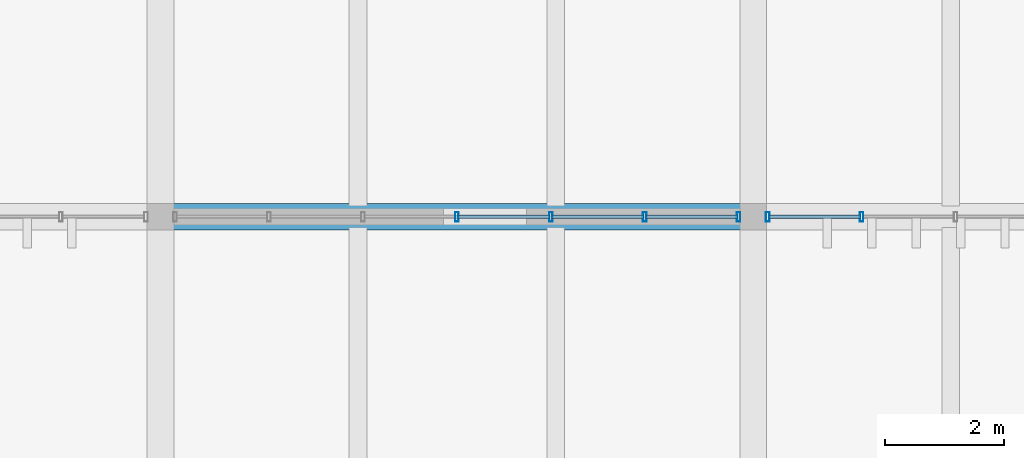
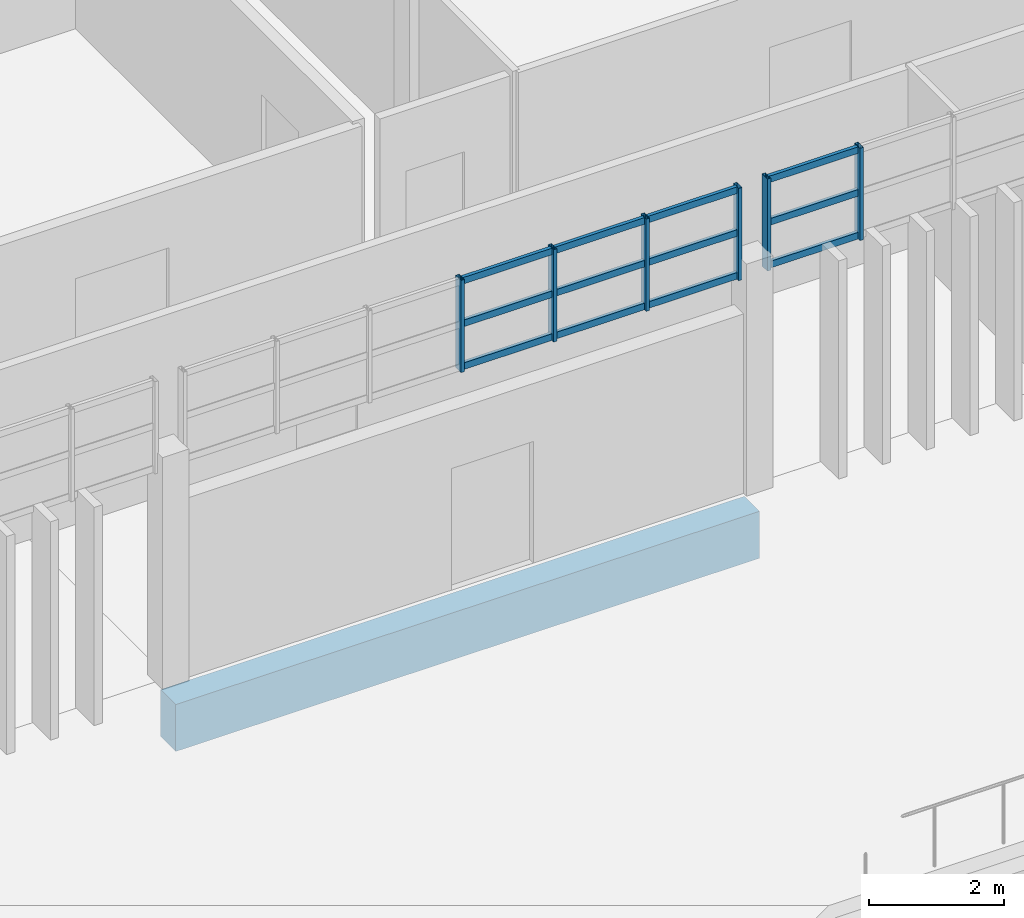
# One storey, part 17 of 36: 18 members, 1 beam, 2 elements without a shape of their own.
"""IFC4 building model written with IfcOpenShell, lengths in metres."""

import ifcopenshell
import ifcopenshell.guid

model = None  # the IFC model being written
_history = None  # IfcOwnerHistory: only IFC2X3 demands one
_inside = {}  # id of a spatial element -> (the spatial element, [elements in it])
_under = {}  # id of a project, library or spatial element -> (it, [spatial elements below it])
_declared = {}  # id of a project -> (the project, [libraries it declares])
_typed = {}  # id of a type object -> (the type object, [elements of that type])
_made_of = {}  # id of a material, layer set ... -> (it, [elements and type objects made of it])


def new_model(schema):
    """Start an empty IFC model of exactly this schema.

    Asked for "IFC4X3", IfcOpenShell would pick the latest addendum, in which some entities
    have other attributes; the version numbers below select the first issue.
    IFC2X3 requires an IfcOwnerHistory on every rooted entity: one is made here for all.
    """
    global model, _history
    if schema == "IFC4X3":
        model = ifcopenshell.file(schema_version=(4, 3, 0, 0))
    else:
        model = ifcopenshell.file(schema=schema)
    _inside.clear()
    _under.clear()
    _declared.clear()
    _typed.clear()
    _made_of.clear()
    _history = None
    if model.schema == "IFC2X3":
        org = make("IfcOrganization", Name="unknown")
        user = make(
            "IfcPersonAndOrganization",
            ThePerson=make("IfcPerson", FamilyName="unknown"),
            TheOrganization=org,
        )
        app = make(
            "IfcApplication",
            ApplicationDeveloper=org,
            Version="unknown",
            ApplicationFullName="unknown",
            ApplicationIdentifier="unknown",
        )
        _history = make(
            "IfcOwnerHistory",
            OwningUser=user,
            OwningApplication=app,
            ChangeAction="ADDED",
            CreationDate=0,
        )
    return model


def make(cls, **values):
    """One entity of the class cls with the attributes given. An attribute that is None is left unset."""
    return model.create_entity(
        cls, **{name: value for name, value in values.items() if value is not None}
    )


def rooted(cls, **values):
    """An entity with a GlobalId (a new one), such as an element, a storey or a relation."""
    return make(cls, GlobalId=ifcopenshell.guid.new(), OwnerHistory=_history, **values)


def si_unit(unit_type, name, prefix=None):
    """IfcSIUnit, for example si_unit("LENGTHUNIT", "METRE", prefix="MILLI")."""
    return make("IfcSIUnit", UnitType=unit_type, Prefix=prefix, Name=name)


def assignment(units):
    """IfcUnitAssignment: the units of a project."""
    return None if units is None else make("IfcUnitAssignment", Units=units)


def point(xyz):
    """IfcCartesianPoint."""
    return None if xyz is None else make("IfcCartesianPoint", Coordinates=xyz)


def direction(xyz):
    """IfcDirection."""
    return None if xyz is None else make("IfcDirection", DirectionRatios=xyz)


def frame(location, z_axis=None, x_axis=None):
    """IfcAxis2Placement3D, a coordinate frame: its origin and axes. An axis left out is left unset."""
    return make(
        "IfcAxis2Placement3D",
        Location=point(location),
        Axis=direction(z_axis),
        RefDirection=direction(x_axis),
    )


def frame_2d(location, x_axis=None):
    """IfcAxis2Placement2D, a coordinate frame in the plane: its origin and x axis."""
    return make(
        "IfcAxis2Placement2D", Location=point(location), RefDirection=direction(x_axis)
    )


def origin():
    """The frame at (0, 0, 0) with its axes left unset."""
    return frame((0.0, 0.0, 0.0))


def origin_2d():
    """The frame at (0, 0) in the plane with its x axis left unset."""
    return frame_2d((0.0, 0.0))


def place(relative_to, where):
    """IfcLocalPlacement: puts the frame where relative to a parent placement (None: the world)."""
    return make(
        "IfcLocalPlacement", PlacementRelTo=relative_to, RelativePlacement=where
    )


def context(
    kind, dimensions, precision=None, world=None, true_north=None, identifier=None
):
    """IfcGeometricRepresentationContext, for example the 3D "Model" context."""
    return make(
        "IfcGeometricRepresentationContext",
        ContextIdentifier=identifier,
        ContextType=kind,
        CoordinateSpaceDimension=dimensions,
        Precision=precision,
        WorldCoordinateSystem=world,
        TrueNorth=true_north,
    )


def subcontext(parent, identifier, kind, view, scale=None):
    """IfcGeometricRepresentationSubContext, for example "Body" below "Model"."""
    return make(
        "IfcGeometricRepresentationSubContext",
        ContextIdentifier=identifier,
        ContextType=kind,
        ParentContext=parent,
        TargetScale=scale,
        TargetView=view,
    )


def project(units=None, contexts=None):
    """IfcProject with its units and contexts."""
    return rooted(
        "IfcProject",
        Name="project",
        RepresentationContexts=contexts,
        UnitsInContext=assignment(units),
    )


def spatial(cls, under=None, at=None, **own):
    """A site, building, storey or space (cls), placed at a placement, below another one or the project."""
    s = rooted(cls, ObjectPlacement=at, **own)
    if under is not None:
        _under.setdefault(under.id(), (under, []))[1].append(s)
    return s


def profile(cls, at=None, kind="AREA", **sizes):
    """A parametric profile (cls). Its sizes go by their IFC names, for example OverallWidth=200.0."""
    return make(cls, ProfileType=kind, Position=at, **sizes)


def rectangle(**sizes):
    """IfcRectangleProfileDef."""
    return profile("IfcRectangleProfileDef", **sizes)


def hollow_rectangle(**sizes):
    """IfcRectangleHollowProfileDef."""
    return profile("IfcRectangleHollowProfileDef", **sizes)


def extrude(swept, where, along, depth):
    """IfcExtrudedAreaSolid: the profile swept, set in the frame where, extruded along a direction by depth."""
    return make(
        "IfcExtrudedAreaSolid",
        SweptArea=swept,
        Position=where,
        ExtrudedDirection=direction(along),
        Depth=depth,
    )


def shape(context_of_items, identifier, shape_type, items):
    """IfcShapeRepresentation: the items that make up one representation, for example the "Body"."""
    return make(
        "IfcShapeRepresentation",
        ContextOfItems=context_of_items,
        RepresentationIdentifier=identifier,
        RepresentationType=shape_type,
        Items=items,
    )


def material(Name=None, Category=None):
    """IfcMaterial."""
    return make("IfcMaterial", Name=Name, Category=Category)


def layer(
    of_material, thickness, ventilated=None, Name=None, Category=None, Priority=None
):
    """IfcMaterialLayer: one layer of a wall or slab, of a material (None: an air gap)."""
    return make(
        "IfcMaterialLayer",
        Material=of_material,
        LayerThickness=thickness,
        IsVentilated=ventilated,
        Name=Name,
        Category=Category,
        Priority=Priority,
    )


def layer_set(layers, Name=None):
    """IfcMaterialLayerSet."""
    return make("IfcMaterialLayerSet", MaterialLayers=layers, LayerSetName=Name)


def material_profile(
    of_material, cross_section, Name=None, Category=None, Priority=None
):
    """IfcMaterialProfile: a cross section and its material."""
    return make(
        "IfcMaterialProfile",
        Name=Name,
        Material=of_material,
        Profile=cross_section,
        Priority=Priority,
        Category=Category,
    )


def profile_set(profiles, Name=None, composite=None):
    """IfcMaterialProfileSet."""
    return make(
        "IfcMaterialProfileSet",
        Name=Name,
        MaterialProfiles=profiles,
        CompositeProfile=composite,
    )


def made_of(thing, what):
    """Note that an element or type object is made of a material, layer set ...; save() writes the relation."""
    if what is not None:
        _made_of.setdefault(what.id(), (what, []))[1].append(thing)
    return thing


def type_object(cls, material=None, **own):
    """A type object (cls), such as IfcWallType, which elements share."""
    return made_of(rooted(cls, **own), material)


def element(
    cls,
    number,
    at=None,
    inside=None,
    cuts=None,
    type_object=None,
    material=None,
    context=None,
    identifier="Body",
    shape_type=None,
    held_by="IfcProductDefinitionShape",
    body=None,
    shapes=None,
    **own,
):
    """One element of the class cls, such as IfcWall. Its Tag is "e" and its number.

    at: its placement. inside: the storey or other place that contains it. cuts: it is an
    opening in that element (IfcRelVoidsElement). A single representation is given by context,
    identifier, shape_type and body (its items); several are given by shapes. held_by: the class
    of the entity that holds the representations. save() writes the other relations.
    """
    e = rooted(cls, Tag="e%d" % number, ObjectPlacement=at, **own)
    if body is not None:
        shapes = [shape(context, identifier, shape_type, body)]
    if shapes is not None:
        e.Representation = make(held_by, Representations=shapes)
    if inside is not None:
        _inside.setdefault(inside.id(), (inside, []))[1].append(e)
    if cuts is not None:
        rooted(
            "IfcRelVoidsElement", RelatingBuildingElement=cuts, RelatedOpeningElement=e
        )
    if type_object is not None:
        _typed.setdefault(type_object.id(), (type_object, []))[1].append(e)
    return made_of(e, material)


def aggregate(whole, parts):
    """IfcRelAggregates: a whole, such as a stair, and the parts it consists of."""
    return rooted("IfcRelAggregates", RelatingObject=whole, RelatedObjects=parts)


def save(model, path):
    """Write the relations noted so far, then the file.

    IfcRelAggregates (storeys below a building ...), IfcRelContainedInSpatialStructure (elements
    in a storey), IfcRelDefinesByType, IfcRelAssociatesMaterial and IfcRelDeclares: one each for
    every whole, place, type object, material and project.
    """
    for whole, parts in _under.values():
        aggregate(whole, parts)
    for where, things in _inside.values():
        rooted(
            "IfcRelContainedInSpatialStructure",
            RelatedElements=things,
            RelatingStructure=where,
        )
    for kind, things in _typed.values():
        rooted("IfcRelDefinesByType", RelatedObjects=things, RelatingType=kind)
    for what, things in _made_of.values():
        rooted("IfcRelAssociatesMaterial", RelatedObjects=things, RelatingMaterial=what)
    for by, libraries in _declared.values():
        rooted("IfcRelDeclares", RelatingContext=by, RelatedDefinitions=libraries)
    model.write(path)


model = new_model("IFC4")

# Units and contexts
model_context = context("Model", 3, precision=1e-05, world=origin(), true_north=direction((0.0, 1.0)))
body_context = subcontext(model_context, "Body", "Model", "MODEL_VIEW")
ifc_project = project(units=[si_unit("LENGTHUNIT", "METRE"), si_unit("AREAUNIT", "SQUARE_METRE"), si_unit("VOLUMEUNIT", "CUBIC_METRE"), si_unit("PLANEANGLEUNIT", "RADIAN"), si_unit("MASSUNIT", "GRAM", prefix="KILO")], contexts=[model_context])

# Site, building, storey
site_placement = place(None, origin())
site = spatial("IfcSite", under=ifc_project, at=site_placement, CompositionType="ELEMENT")
building_placement = place(site_placement, origin())
building = spatial("IfcBuilding", under=site, at=building_placement, Name="Mersad Railyard Sports Hall", CompositionType="ELEMENT")
storey_placement = place(building_placement, frame((0.0, 0.0, 21.60009765625)))
storey = spatial("IfcBuildingStorey", under=building, at=storey_placement, Name="L05", CompositionType="ELEMENT", Elevation=21.60009765625)

# Curtain wall, members
ifc_material_1 = material(Name="Aluminium 6063-T6", Category="aluminium")
ifc_layer = layer(ifc_material_1, 0.159912109375)
ifc_layer_set = layer_set([ifc_layer], Name="Aluminium 6063-T6")
curtain_wall_type = type_object("IfcCurtainWallType", Name="ARC-CW-CW50", PredefinedType="USERDEFINED", material=ifc_layer_set)
curtain_wall_1_placement = place(storey_placement, origin())
curtain_wall_1 = element("IfcCurtainWall", 1, at=curtain_wall_1_placement, inside=storey, type_object=curtain_wall_type, Name="Curtain wall CW50-0132", ObjectType="CURTAIN WALL", PredefinedType="USERDEFINED")
ifc_material_profile_1 = material_profile(ifc_material_1, hollow_rectangle(XDim=0.06005859375, YDim=0.159912109375, WallThickness=0.00390625, at=origin_2d()), Name="AL MULLION 60x160x4")
ifc_profile_set_1 = profile_set([ifc_material_profile_1], Name="Aluminium 6063-T6")
member_type_1 = type_object("IfcMemberType", Name="ARC-CW-MUL01", PredefinedType="MULLION", material=ifc_profile_set_1)
member_1_placement = place(storey_placement, frame((100.7548828125, 95.0, 3.829833984375), z_axis=(0.0, 0.0, 1.0), x_axis=(1.0, 0.0, 0.0)))
member_1 = element("IfcMember", 2, at=member_1_placement, type_object=member_type_1, Name="CW50 Mullion 1", PredefinedType="MULLION", context=body_context, shape_type="SweptSolid", body=[
    extrude(hollow_rectangle(XDim=0.06005859375, YDim=0.159912109375, WallThickness=0.00390625, at=origin_2d()), origin(), (0.0, 0.0, 1.0), 1.670166015625),
])
member_2_placement = place(storey_placement, frame((99.169921875, 95.0, 3.829833984375), z_axis=(0.0, 0.0, 1.0), x_axis=(1.0, 0.0, 0.0)))
member_2 = element("IfcMember", 3, at=member_2_placement, type_object=member_type_1, Name="CW50 Mullion 2", PredefinedType="MULLION", context=body_context, shape_type="SweptSolid", body=[
    extrude(hollow_rectangle(XDim=0.06005859375, YDim=0.159912109375, WallThickness=0.00390625, at=origin_2d()), origin(), (0.0, 0.0, 1.0), 1.670166015625),
])
member_3_placement = place(storey_placement, frame((97.5849609375, 95.0, 3.829833984375), z_axis=(0.0, 0.0, 1.0), x_axis=(1.0, 0.0, 0.0)))
member_3 = element("IfcMember", 4, at=member_3_placement, type_object=member_type_1, Name="CW50 Mullion 3", PredefinedType="MULLION", context=body_context, shape_type="SweptSolid", body=[
    extrude(hollow_rectangle(XDim=0.06005859375, YDim=0.159912109375, WallThickness=0.00390625, at=origin_2d()), origin(), (0.0, 0.0, 1.0), 1.670166015625),
])
member_4_placement = place(storey_placement, frame((96.0, 95.0, 3.829833984375), z_axis=(0.0, 0.0, 1.0), x_axis=(1.0, 0.0, 0.0)))
member_4 = element("IfcMember", 5, at=member_4_placement, type_object=member_type_1, Name="CW50 Mullion 4", PredefinedType="MULLION", context=body_context, shape_type="SweptSolid", body=[
    extrude(hollow_rectangle(XDim=0.06005859375, YDim=0.159912109375, WallThickness=0.00390625, at=origin_2d()), origin(), (0.0, 0.0, 1.0), 1.670166015625),
])

curtain_wall_2_placement = place(storey_placement, origin())
curtain_wall_2 = element("IfcCurtainWall", 6, at=curtain_wall_2_placement, inside=storey, type_object=curtain_wall_type, Name="Curtain wall CW50-0134", ObjectType="CURTAIN WALL", PredefinedType="USERDEFINED")
member_5_placement = place(storey_placement, frame((102.830078125, 95.0, 3.829833984375), z_axis=(0.0, 0.0, 1.0), x_axis=(1.0, 0.0, 0.0)))
member_5 = element("IfcMember", 7, at=member_5_placement, type_object=member_type_1, Name="CW50 Mullion 6", PredefinedType="MULLION", context=body_context, shape_type="SweptSolid", body=[
    extrude(hollow_rectangle(XDim=0.06005859375, YDim=0.159912109375, WallThickness=0.00390625, at=origin_2d()), origin(), (0.0, 0.0, 1.0), 1.670166015625),
])
member_6_placement = place(storey_placement, frame((101.2451171875, 95.0, 3.829833984375), z_axis=(0.0, 0.0, 1.0), x_axis=(1.0, 0.0, 0.0)))
member_6 = element("IfcMember", 8, at=member_6_placement, type_object=member_type_1, Name="CW50 Mullion 7", PredefinedType="MULLION", context=body_context, shape_type="SweptSolid", body=[
    extrude(hollow_rectangle(XDim=0.06005859375, YDim=0.159912109375, WallThickness=0.00390625, at=origin_2d()), origin(), (0.0, 0.0, 1.0), 1.670166015625),
])

# Member
ifc_material_profile_2 = material_profile(ifc_material_1, hollow_rectangle(XDim=0.06005859375, YDim=0.1201171875, WallThickness=0.00390625, at=origin_2d()), Name="AL TRANSOM 60x120x4")
ifc_profile_set_2 = profile_set([ifc_material_profile_2], Name="Aluminium 6063-T6")
member_type_2 = type_object("IfcMemberType", Name="ARC-CW-TRN01", PredefinedType="USERDEFINED", material=ifc_profile_set_2)
member_7_placement = place(storey_placement, frame((100.735107421875, 95.0, 3.889892578125), z_axis=(-1.0, 0.0, 0.0), x_axis=(0.0, -1.0, 0.0)))
member_7 = element("IfcMember", 9, at=member_7_placement, type_object=member_type_2, Name="CW50 Transom 1-1", ObjectType="TRANSOM", PredefinedType="USERDEFINED", context=body_context, shape_type="SweptSolid", body=[
    extrude(hollow_rectangle(XDim=0.06005859375, YDim=0.1201171875, WallThickness=0.00390625, at=origin_2d()), origin(), (0.0, 0.0, 1.0), 1.545166015625),
])

member_8_placement = place(storey_placement, frame((99.14990234375, 95.0, 3.889892578125), z_axis=(-1.0, 0.0, 0.0), x_axis=(0.0, -1.0, 0.0)))
member_8 = element("IfcMember", 10, at=member_8_placement, type_object=member_type_2, Name="CW50 Transom 1-2", ObjectType="TRANSOM", PredefinedType="USERDEFINED", context=body_context, shape_type="SweptSolid", body=[
    extrude(hollow_rectangle(XDim=0.06005859375, YDim=0.1201171875, WallThickness=0.00390625, at=origin_2d()), origin(), (0.0, 0.0, 1.0), 1.544921875),
])

member_9_placement = place(storey_placement, frame((97.56494140625, 95.0, 3.889892578125), z_axis=(-1.0, 0.0, 0.0), x_axis=(0.0, -1.0, 0.0)))
member_9 = element("IfcMember", 11, at=member_9_placement, type_object=member_type_2, Name="CW50 Transom 1-3", ObjectType="TRANSOM", PredefinedType="USERDEFINED", context=body_context, shape_type="SweptSolid", body=[
    extrude(hollow_rectangle(XDim=0.06005859375, YDim=0.1201171875, WallThickness=0.00390625, at=origin_2d()), origin(), (0.0, 0.0, 1.0), 1.544921875),
])

member_10_placement = place(storey_placement, frame((100.735107421875, 95.0, 4.664794921875), z_axis=(-1.0, 0.0, 0.0), x_axis=(0.0, -1.0, 0.0)))
member_10 = element("IfcMember", 12, at=member_10_placement, type_object=member_type_2, Name="CW50 Transom 2-1", ObjectType="TRANSOM", PredefinedType="USERDEFINED", context=body_context, shape_type="SweptSolid", body=[
    extrude(hollow_rectangle(XDim=0.06005859375, YDim=0.1201171875, WallThickness=0.00390625, at=origin_2d()), origin(), (0.0, 0.0, 1.0), 1.545166015625),
])

member_11_placement = place(storey_placement, frame((99.14990234375, 95.0, 4.664794921875), z_axis=(-1.0, 0.0, 0.0), x_axis=(0.0, -1.0, 0.0)))
member_11 = element("IfcMember", 13, at=member_11_placement, type_object=member_type_2, Name="CW50 Transom 2-2", ObjectType="TRANSOM", PredefinedType="USERDEFINED", context=body_context, shape_type="SweptSolid", body=[
    extrude(hollow_rectangle(XDim=0.06005859375, YDim=0.1201171875, WallThickness=0.00390625, at=origin_2d()), origin(), (0.0, 0.0, 1.0), 1.544921875),
])

member_12_placement = place(storey_placement, frame((97.56494140625, 95.0, 4.664794921875), z_axis=(-1.0, 0.0, 0.0), x_axis=(0.0, -1.0, 0.0)))
member_12 = element("IfcMember", 14, at=member_12_placement, type_object=member_type_2, Name="CW50 Transom 2-3", ObjectType="TRANSOM", PredefinedType="USERDEFINED", context=body_context, shape_type="SweptSolid", body=[
    extrude(hollow_rectangle(XDim=0.06005859375, YDim=0.1201171875, WallThickness=0.00390625, at=origin_2d()), origin(), (0.0, 0.0, 1.0), 1.544921875),
])

member_13_placement = place(storey_placement, frame((100.735107421875, 95.0, 5.43994140625), z_axis=(-1.0, 0.0, 0.0), x_axis=(0.0, -1.0, 0.0)))
member_13 = element("IfcMember", 15, at=member_13_placement, type_object=member_type_2, Name="CW50 Transom 3-1", ObjectType="TRANSOM", PredefinedType="USERDEFINED", context=body_context, shape_type="SweptSolid", body=[
    extrude(hollow_rectangle(XDim=0.06005859375, YDim=0.1201171875, WallThickness=0.00390625, at=origin_2d()), origin(), (0.0, 0.0, 1.0), 1.545166015625),
])

member_14_placement = place(storey_placement, frame((99.14990234375, 95.0, 5.43994140625), z_axis=(-1.0, 0.0, 0.0), x_axis=(0.0, -1.0, 0.0)))
member_14 = element("IfcMember", 16, at=member_14_placement, type_object=member_type_2, Name="CW50 Transom 3-2", ObjectType="TRANSOM", PredefinedType="USERDEFINED", context=body_context, shape_type="SweptSolid", body=[
    extrude(hollow_rectangle(XDim=0.06005859375, YDim=0.1201171875, WallThickness=0.00390625, at=origin_2d()), origin(), (0.0, 0.0, 1.0), 1.544921875),
])

member_15_placement = place(storey_placement, frame((97.56494140625, 95.0, 5.43994140625), z_axis=(-1.0, 0.0, 0.0), x_axis=(0.0, -1.0, 0.0)))
member_15 = element("IfcMember", 17, at=member_15_placement, type_object=member_type_2, Name="CW50 Transom 3-3", ObjectType="TRANSOM", PredefinedType="USERDEFINED", context=body_context, shape_type="SweptSolid", body=[
    extrude(hollow_rectangle(XDim=0.06005859375, YDim=0.1201171875, WallThickness=0.00390625, at=origin_2d()), origin(), (0.0, 0.0, 1.0), 1.544921875),
])

aggregate(curtain_wall_1, [member_1, member_2, member_3, member_4, member_7, member_8, member_9, member_10, member_11, member_12, member_13, member_14, member_15])

member_16_placement = place(storey_placement, frame((102.81005859375, 95.0, 3.889892578125), z_axis=(-1.0, 0.0, 0.0), x_axis=(0.0, -1.0, 0.0)))
member_16 = element("IfcMember", 18, at=member_16_placement, type_object=member_type_2, Name="CW50 Transom 1-6", ObjectType="TRANSOM", PredefinedType="USERDEFINED", context=body_context, shape_type="SweptSolid", body=[
    extrude(hollow_rectangle(XDim=0.06005859375, YDim=0.1201171875, WallThickness=0.00390625, at=origin_2d()), origin(), (0.0, 0.0, 1.0), 1.545166015625),
])

member_17_placement = place(storey_placement, frame((102.81005859375, 95.0, 4.664794921875), z_axis=(-1.0, 0.0, 0.0), x_axis=(0.0, -1.0, 0.0)))
member_17 = element("IfcMember", 19, at=member_17_placement, type_object=member_type_2, Name="CW50 Transom 2-6", ObjectType="TRANSOM", PredefinedType="USERDEFINED", context=body_context, shape_type="SweptSolid", body=[
    extrude(hollow_rectangle(XDim=0.06005859375, YDim=0.1201171875, WallThickness=0.00390625, at=origin_2d()), origin(), (0.0, 0.0, 1.0), 1.545166015625),
])

member_18_placement = place(storey_placement, frame((102.81005859375, 95.0, 5.43994140625), z_axis=(-1.0, 0.0, 0.0), x_axis=(0.0, -1.0, 0.0)))
member_18 = element("IfcMember", 20, at=member_18_placement, type_object=member_type_2, Name="CW50 Transom 3-6", ObjectType="TRANSOM", PredefinedType="USERDEFINED", context=body_context, shape_type="SweptSolid", body=[
    extrude(hollow_rectangle(XDim=0.06005859375, YDim=0.1201171875, WallThickness=0.00390625, at=origin_2d()), origin(), (0.0, 0.0, 1.0), 1.545166015625),
])

aggregate(curtain_wall_2, [member_5, member_6, member_16, member_17, member_18])

# Beam
ifc_material_2 = material(Name="Concrete C40/50", Category="concrete")
ifc_material_profile_3 = material_profile(ifc_material_2, rectangle(XDim=0.449951171875, YDim=0.85009765625, at=origin_2d()), Name="RC 450x850")
ifc_profile_set_3 = profile_set([ifc_material_profile_3], Name="Concrete C40/50")
beam_type = type_object("IfcBeamType", Name="STR-BM-B02", PredefinedType="BEAM", material=ifc_profile_set_3)
beam_placement = place(storey_placement, frame((91.0, 95.0, -0.775146484375), z_axis=(1.0, 0.0, 0.0), x_axis=(0.0, 1.0, 0.0)))
element("IfcBeam", 21, at=beam_placement, inside=storey, type_object=beam_type, Name="Beam B02-1412", PredefinedType="BEAM", context=body_context, shape_type="SweptSolid", body=[
    extrude(rectangle(XDim=0.449951171875, YDim=0.85009765625, at=origin_2d()), origin(), (0.0, 0.0, 1.0), 10.0),
])

save(model, "model.ifc")
